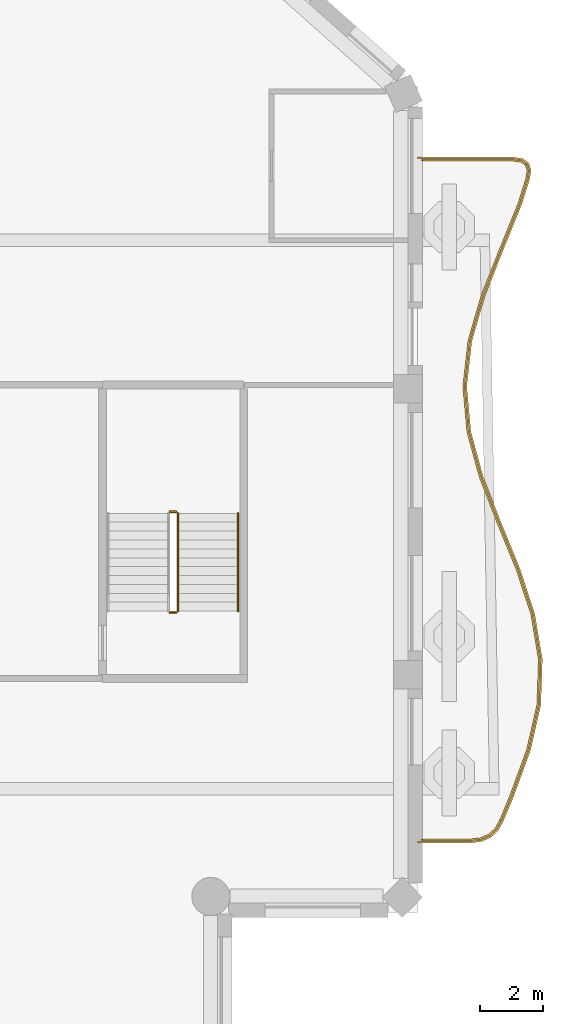
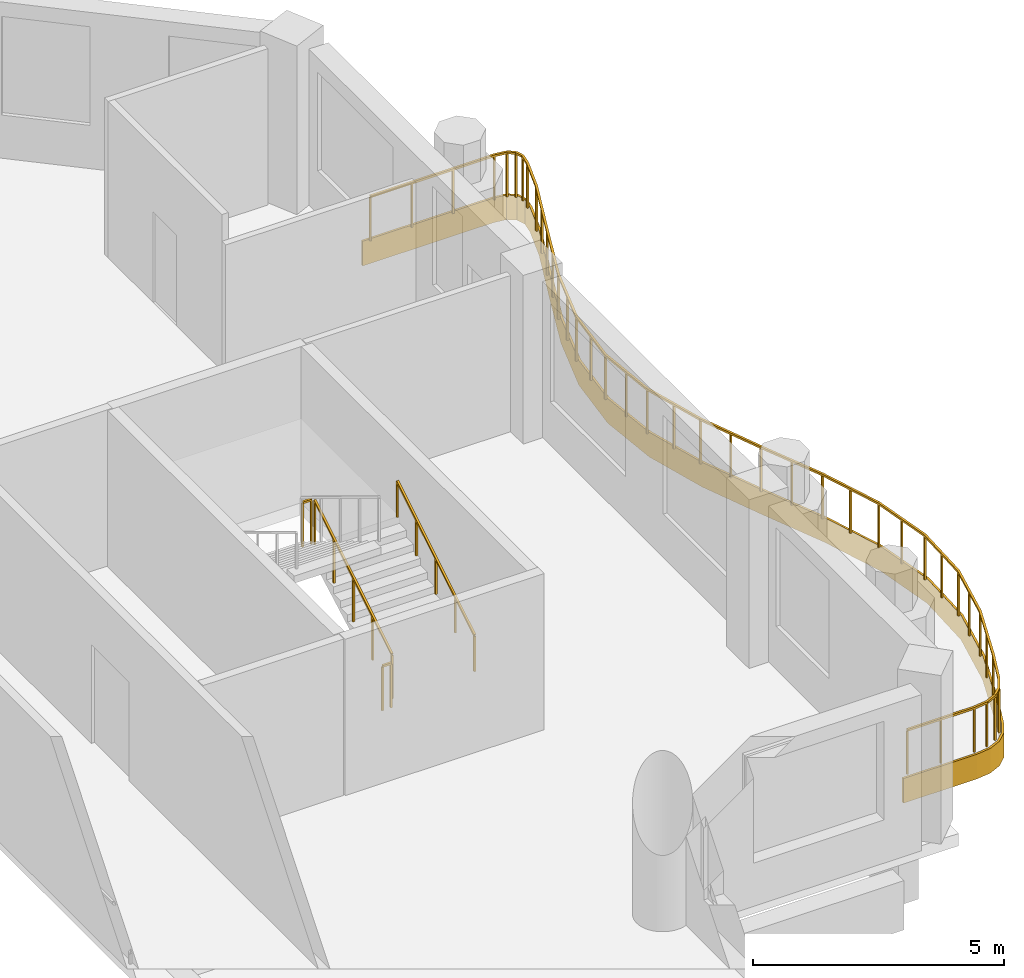
# One storey, part 13 of 15: 5 railings, 1 covering.
"""IFC4 building model written with IfcOpenShell, lengths in metres."""

from ifc_helpers import new_model, si_unit, direction, frame, origin, origin_2d, place, context, subcontext, project, spatial, polyline, rectangle, outline, extrude, material, layer, layer_set, type_object, element, save


model = new_model("IFC4")

# Units and contexts
model_context = context("Model", 3, precision=1e-05, world=origin(), true_north=direction((0.0, 1.0)))
body_context = subcontext(model_context, "Body", "Model", "MODEL_VIEW")
ifc_project = project(units=[si_unit("LENGTHUNIT", "METRE"), si_unit("AREAUNIT", "SQUARE_METRE"), si_unit("VOLUMEUNIT", "CUBIC_METRE"), si_unit("PLANEANGLEUNIT", "RADIAN"), si_unit("MASSUNIT", "GRAM", prefix="KILO")], contexts=[model_context])

# Site, building, storey
site_placement = place(None, origin())
site = spatial("IfcSite", under=ifc_project, at=site_placement, CompositionType="ELEMENT")
building_placement = place(site_placement, origin())
building = spatial("IfcBuilding", under=site, at=building_placement, Name="Cypress Arch Tower", CompositionType="ELEMENT")
storey_placement = place(building_placement, frame((0.0, 0.0, 313.10009765625)))
storey = spatial("IfcBuildingStorey", under=building, at=storey_placement, Name="L71", CompositionType="ELEMENT", Elevation=313.10009765625)

# Covering
ifc_material_1 = material(Name="White powder-coated aluminium fascia", Category="aluminium")
ifc_layer = layer(ifc_material_1, 0.050048828125)
ifc_layer_set = layer_set([ifc_layer], Name="Balcony fascia BF50")
covering_type = type_object("IfcCoveringType", Name="Balcony fascia BF50", PredefinedType="CLADDING", material=ifc_layer_set)
covering_placement = place(storey_placement, frame((0.0, 0.0, -0.60009765625)))
element("IfcCovering", 1, at=covering_placement, inside=storey, type_object=covering_type, Name="Balcony fascia L71-C17", PredefinedType="CLADDING", context=body_context, shape_type="SweptSolid", body=[
    extrude(outline(polyline([(27.6103515625, 11.800048828125), (27.908935546875, 11.757568359375), (28.105712890625, 11.6201171875), (28.177978515625, 11.390869140625), (28.12890625, 11.09326171875), (27.87939453125, 10.2998046875), (27.297607421875, 8.86474609375), (26.729248046875, 7.433837890625), (26.3134765625, 6.0068359375), (26.15087890625, 4.582763671875), (26.2802734375, 3.158935546875), (26.670654296875, 1.732421875), (27.22802734375, 0.302001953125), (27.81591796875, -1.132568359375), (28.2900390625, -2.5712890625), (28.533203125, -4.013427734375), (28.484375, -5.45654296875), (28.15625, -6.8974609375), (27.630126953125, -8.3349609375), (27.3017578125, -9.126953125), (27.135986328125, -9.41845703125), (26.909912109375, -9.630859375), (26.626953125, -9.75830078125), (26.29443359375, -9.800048828125), (24.60107421875, -9.800048828125), (24.60107421875, -9.75), (26.291259765625, -9.75), (26.61328125, -9.709716796875), (26.881591796875, -9.5888671875), (27.09619140625, -9.38720703125), (27.2568359375, -9.10498046875), (27.58349609375, -8.316650390625), (28.108154296875, -6.88330078125), (28.4345703125, -5.449951171875), (28.48291015625, -4.0166015625), (28.2412109375, -2.583251953125), (27.768798828125, -1.14990234375), (27.181396484375, 0.283447265625), (26.623291015625, 1.716552734375), (26.230712890625, 3.14990234375), (26.1005859375, 4.583251953125), (26.26416015625, 6.0166015625), (26.681884765625, 7.449951171875), (27.251220703125, 8.88330078125), (27.832275390625, 10.316650390625), (28.080078125, 11.10498046875), (28.126708984375, 11.38720703125), (28.063232421875, 11.5888671875), (27.889892578125, 11.709716796875), (27.60693359375, 11.75), (24.60107421875, 11.75), (24.60107421875, 11.800048828125), (27.6103515625, 11.800048828125)])), origin(), (0.0, 0.0, 1.0), 0.60009765625),
])

# Railings
ifc_material_2 = material(Name="Powder-coated steel posts and rods, 100 mm clear between rods", Category="steel")
railing_type_1 = type_object("IfcRailingType", Name="Balcony guard GR1100", PredefinedType="GUARDRAIL", material=ifc_material_2)
railing_1_placement = place(storey_placement, frame((24.75, 11.699951171875, 0.0)))
element("IfcRailing", 2, at=railing_1_placement, inside=storey, type_object=railing_type_1, Name="Balcony guard L71-C17", PredefinedType="GUARDRAIL", context=body_context, shape_type="SweptSolid", body=[
    extrude(rectangle(XDim=0.050048828125, YDim=0.050048828125, at=origin_2d()), frame((0.0, 0.0, 1.0751953125), z_axis=(1.0, 0.0, 0.0), x_axis=(0.0, 1.0, 0.0)), (0.0, 0.0, 1.0), 2.853271484375),
    extrude(rectangle(XDim=0.050048828125, YDim=0.050048828125, at=origin_2d()), frame((2.853271484375, 0.0, 1.0751953125), z_axis=(0.990039541813, -0.140789579328, 0.0), x_axis=(0.140789579328, 0.990039541813, 0.0)), (0.0, 0.0, 1.0), 0.2705078125),
    extrude(rectangle(XDim=0.050048828125, YDim=0.050048828125, at=origin_2d()), frame((3.12109375, -0.0380859375, 1.0751953125), z_axis=(0.820550362028, -0.571574232603, 0.0), x_axis=(0.571574232603, 0.820550362028, 0.0)), (0.0, 0.0, 1.0), 0.182373046875),
    extrude(rectangle(XDim=0.050048828125, YDim=0.050048828125, at=origin_2d()), frame((3.270751953125, -0.142333984375, 1.0751953125), z_axis=(0.299722215459, -0.954026516172, 0.0), x_axis=(0.954026516172, 0.299722215459, 0.0)), (0.0, 0.0, 1.0), 0.182373046875),
    extrude(rectangle(XDim=0.050048828125, YDim=0.050048828125, at=origin_2d()), frame((3.325439453125, -0.31640625, 1.0751953125), z_axis=(-0.162495579939, -0.986709271518, 0.0), x_axis=(0.986709271518, -0.162495579939, 0.0)), (0.0, 0.0, 1.0), 0.2705078125),
    extrude(rectangle(XDim=0.050048828125, YDim=0.050048828125, at=origin_2d()), frame((3.281494140625, -0.583251953125, 1.0751953125), z_axis=(-0.300035359528, -0.95392808064, 0.0), x_axis=(0.95392808064, -0.300035359528, 0.0)), (0.0, 0.0, 1.0), 0.821044921875),
    extrude(rectangle(XDim=0.050048828125, YDim=0.050048828125, at=origin_2d()), frame((3.03515625, -1.366455078125, 1.0751953125), z_axis=(-0.37566475524, -0.926755626727, 0.0), x_axis=(0.926755626727, -0.37566475524, 0.0)), (0.0, 0.0, 1.0), 1.544677734375),
    extrude(rectangle(XDim=0.050048828125, YDim=0.050048828125, at=origin_2d()), frame((2.454833984375, -2.798095703125, 1.0751953125), z_axis=(-0.369209624143, -0.929346142963, 0.0), x_axis=(0.929346142963, -0.369209624143, 0.0)), (0.0, 0.0, 1.0), 1.544677734375),
    extrude(rectangle(XDim=0.050048828125, YDim=0.050048828125, at=origin_2d()), frame((1.884521484375, -4.233642578125, 1.0751953125), z_axis=(-0.279706148899, -0.960085657776, 0.0), x_axis=(0.960085657776, -0.279706148899, 0.0)), (0.0, 0.0, 1.0), 1.49951171875),
    extrude(rectangle(XDim=0.050048828125, YDim=0.050048828125, at=origin_2d()), frame((1.465087890625, -5.67333984375, 1.0751953125), z_axis=(-0.113494428346, -0.993538632734, 0.0), x_axis=(0.993538632734, -0.113494428346, 0.0)), (0.0, 0.0, 1.0), 1.451904296875),
    extrude(rectangle(XDim=0.050048828125, YDim=0.050048828125, at=origin_2d()), frame((1.30029296875, -7.115966796875, 1.0751953125), z_axis=(0.090490165225, -0.995897349127, 0.0), x_axis=(0.995897349127, 0.090490165225, 0.0)), (0.0, 0.0, 1.0), 1.44873046875),
    extrude(rectangle(XDim=0.050048828125, YDim=0.050048828125, at=origin_2d()), frame((1.431396484375, -8.558837890625, 1.0751953125), z_axis=(0.26405805433, -0.96450678792, 0.0), x_axis=(0.96450678792, 0.26405805433, 0.0)), (0.0, 0.0, 1.0), 1.4931640625),
    extrude(rectangle(XDim=0.050048828125, YDim=0.050048828125, at=origin_2d()), frame((1.82568359375, -9.9990234375, 1.0751953125), z_axis=(0.362935480533, -0.931814271714, 0.0), x_axis=(0.931814271714, 0.362935480533, 0.0)), (0.0, 0.0, 1.0), 1.541015625),
    extrude(rectangle(XDim=0.050048828125, YDim=0.050048828125, at=origin_2d()), frame((2.385009765625, -11.43505859375, 1.0751953125), z_axis=(0.379210133201, -0.925310582927, 0.0), x_axis=(0.925310582927, 0.379210133201, 0.0)), (0.0, 0.0, 1.0), 1.547607421875),
    extrude(rectangle(XDim=0.050048828125, YDim=0.050048828125, at=origin_2d()), frame((2.971923828125, -12.8671875, 1.0751953125), z_axis=(0.313011414337, -0.94974936404, 0.0), x_axis=(0.94974936404, 0.313011414337, 0.0)), (0.0, 0.0, 1.0), 1.50390625),
    extrude(rectangle(XDim=0.050048828125, YDim=0.050048828125, at=origin_2d()), frame((3.442626953125, -14.29541015625, 1.0751953125), z_axis=(0.166289585267, -0.986076961414, 0.0), x_axis=(0.986076961414, 0.166289585267, 0.0)), (0.0, 0.0, 1.0), 1.444580078125),
    extrude(rectangle(XDim=0.050048828125, YDim=0.050048828125, at=origin_2d()), frame((3.682861328125, -15.719970703125, 1.0751953125), z_axis=(-0.033765677595, -0.999429776931, 0.0), x_axis=(0.999429776931, -0.033765677595, 0.0)), (0.0, 0.0, 1.0), 1.42431640625),
    extrude(rectangle(XDim=0.050048828125, YDim=0.050048828125, at=origin_2d()), frame((3.634765625, -17.1435546875, 1.0751953125), z_axis=(-0.222090210993, -0.975026121794, 0.0), x_axis=(0.975026121794, -0.222090210993, 0.0)), (0.0, 0.0, 1.0), 1.462158203125),
    extrude(rectangle(XDim=0.050048828125, YDim=0.050048828125, at=origin_2d()), frame((3.31005859375, -18.569091796875, 1.0751953125), z_axis=(-0.3437126325, -0.939074877877, 0.0), x_axis=(0.939074877877, -0.3437126325, 0.0)), (0.0, 0.0, 1.0), 1.522216796875),
    extrude(rectangle(XDim=0.050048828125, YDim=0.050048828125, at=origin_2d()), frame((2.786865234375, -19.99853515625, 1.0751953125), z_axis=(-0.382961168956, -0.923764441333, 0.0), x_axis=(0.923764441333, -0.382961168956, 0.0)), (0.0, 0.0, 1.0), 0.84912109375),
    extrude(rectangle(XDim=0.050048828125, YDim=0.050048828125, at=origin_2d()), frame((2.461669921875, -20.782958984375, 1.0751953125), z_axis=(-0.49446349002, -0.869198399123, 0.0), x_axis=(0.869198399123, -0.49446349002, 0.0)), (0.0, 0.0, 1.0), 0.31396484375),
    extrude(rectangle(XDim=0.050048828125, YDim=0.050048828125, at=origin_2d()), frame((2.306396484375, -21.055908203125, 1.0751953125), z_axis=(-0.728688930411, -0.684844831109, 0.0), x_axis=(0.684844831109, -0.728688930411, 0.0)), (0.0, 0.0, 1.0), 0.2783203125),
    extrude(rectangle(XDim=0.050048828125, YDim=0.050048828125, at=origin_2d()), frame((2.103515625, -21.24658203125, 1.0751953125), z_axis=(-0.911921505175, -0.410364677329, 0.0), x_axis=(0.410364677329, -0.911921505175, 0.0)), (0.0, 0.0, 1.0), 0.2783203125),
    extrude(rectangle(XDim=0.050048828125, YDim=0.050048828125, at=origin_2d()), frame((1.849609375, -21.36083984375, 1.0751953125), z_axis=(-0.992229949963, -0.124417548585, 0.0), x_axis=(0.124417548585, -0.992229949963, 0.0)), (0.0, 0.0, 1.0), 0.31396484375),
    extrude(rectangle(XDim=0.050048828125, YDim=0.050048828125, at=origin_2d()), frame((1.5380859375, -21.39990234375, 1.0751953125), z_axis=(-1.0, 0.0, 0.0), x_axis=(0.0, -1.0, 0.0)), (0.0, 0.0, 1.0), 1.5380859375),
    extrude(rectangle(XDim=0.0400390625, YDim=0.0400390625, at=origin_2d()), origin(), (0.0, 0.0, 1.0), 1.050048828125),
    extrude(rectangle(XDim=0.0400390625, YDim=0.0400390625, at=origin_2d()), frame((0.951171875, 0.0, 0.0)), (0.0, 0.0, 1.0), 1.050048828125),
    extrude(rectangle(XDim=0.0400390625, YDim=0.0400390625, at=origin_2d()), frame((1.902099609375, 0.0, 0.0)), (0.0, 0.0, 1.0), 1.050048828125),
    extrude(rectangle(XDim=0.0400390625, YDim=0.0400390625, at=origin_2d()), frame((2.853271484375, 0.0, 0.0)), (0.0, 0.0, 1.0), 1.050048828125),
    extrude(rectangle(XDim=0.0400390625, YDim=0.0400390625, at=origin_2d()), frame((3.12109375, -0.0380859375, 0.0)), (0.0, 0.0, 1.0), 1.050048828125),
    extrude(rectangle(XDim=0.0400390625, YDim=0.0400390625, at=origin_2d()), frame((3.270751953125, -0.142333984375, 0.0)), (0.0, 0.0, 1.0), 1.050048828125),
    extrude(rectangle(XDim=0.0400390625, YDim=0.0400390625, at=origin_2d()), frame((3.325439453125, -0.31640625, 0.0)), (0.0, 0.0, 1.0), 1.050048828125),
    extrude(rectangle(XDim=0.0400390625, YDim=0.0400390625, at=origin_2d()), frame((3.281494140625, -0.583251953125, 0.0)), (0.0, 0.0, 1.0), 1.050048828125),
    extrude(rectangle(XDim=0.0400390625, YDim=0.0400390625, at=origin_2d()), frame((3.03515625, -1.366455078125, 0.0)), (0.0, 0.0, 1.0), 1.050048828125),
    extrude(rectangle(XDim=0.0400390625, YDim=0.0400390625, at=origin_2d()), frame((2.7451171875, -2.082275390625, 0.0)), (0.0, 0.0, 1.0), 1.050048828125),
    extrude(rectangle(XDim=0.0400390625, YDim=0.0400390625, at=origin_2d()), frame((2.454833984375, -2.798095703125, 0.0)), (0.0, 0.0, 1.0), 1.050048828125),
    extrude(rectangle(XDim=0.0400390625, YDim=0.0400390625, at=origin_2d()), frame((2.169677734375, -3.515869140625, 0.0)), (0.0, 0.0, 1.0), 1.050048828125),
    extrude(rectangle(XDim=0.0400390625, YDim=0.0400390625, at=origin_2d()), frame((1.884521484375, -4.233642578125, 0.0)), (0.0, 0.0, 1.0), 1.050048828125),
    extrude(rectangle(XDim=0.0400390625, YDim=0.0400390625, at=origin_2d()), frame((1.6748046875, -4.95361328125, 0.0)), (0.0, 0.0, 1.0), 1.050048828125),
    extrude(rectangle(XDim=0.0400390625, YDim=0.0400390625, at=origin_2d()), frame((1.465087890625, -5.67333984375, 0.0)), (0.0, 0.0, 1.0), 1.050048828125),
    extrude(rectangle(XDim=0.0400390625, YDim=0.0400390625, at=origin_2d()), frame((1.3828125, -6.39453125, 0.0)), (0.0, 0.0, 1.0), 1.050048828125),
    extrude(rectangle(XDim=0.0400390625, YDim=0.0400390625, at=origin_2d()), frame((1.30029296875, -7.115966796875, 0.0)), (0.0, 0.0, 1.0), 1.050048828125),
    extrude(rectangle(XDim=0.0400390625, YDim=0.0400390625, at=origin_2d()), frame((1.36572265625, -7.83740234375, 0.0)), (0.0, 0.0, 1.0), 1.050048828125),
    extrude(rectangle(XDim=0.0400390625, YDim=0.0400390625, at=origin_2d()), frame((1.431396484375, -8.558837890625, 0.0)), (0.0, 0.0, 1.0), 1.050048828125),
    extrude(rectangle(XDim=0.0400390625, YDim=0.0400390625, at=origin_2d()), frame((1.62841796875, -9.27880859375, 0.0)), (0.0, 0.0, 1.0), 1.050048828125),
    extrude(rectangle(XDim=0.0400390625, YDim=0.0400390625, at=origin_2d()), frame((1.82568359375, -9.9990234375, 0.0)), (0.0, 0.0, 1.0), 1.050048828125),
    extrude(rectangle(XDim=0.0400390625, YDim=0.0400390625, at=origin_2d()), frame((2.10546875, -10.717041015625, 0.0)), (0.0, 0.0, 1.0), 1.050048828125),
    extrude(rectangle(XDim=0.0400390625, YDim=0.0400390625, at=origin_2d()), frame((2.385009765625, -11.43505859375, 0.0)), (0.0, 0.0, 1.0), 1.050048828125),
    extrude(rectangle(XDim=0.0400390625, YDim=0.0400390625, at=origin_2d()), frame((2.678466796875, -12.151123046875, 0.0)), (0.0, 0.0, 1.0), 1.050048828125),
    extrude(rectangle(XDim=0.0400390625, YDim=0.0400390625, at=origin_2d()), frame((2.971923828125, -12.8671875, 0.0)), (0.0, 0.0, 1.0), 1.050048828125),
    extrude(rectangle(XDim=0.0400390625, YDim=0.0400390625, at=origin_2d()), frame((3.207275390625, -13.581298828125, 0.0)), (0.0, 0.0, 1.0), 1.050048828125),
    extrude(rectangle(XDim=0.0400390625, YDim=0.0400390625, at=origin_2d()), frame((3.442626953125, -14.29541015625, 0.0)), (0.0, 0.0, 1.0), 1.050048828125),
    extrude(rectangle(XDim=0.0400390625, YDim=0.0400390625, at=origin_2d()), frame((3.562744140625, -15.0078125, 0.0)), (0.0, 0.0, 1.0), 1.050048828125),
    extrude(rectangle(XDim=0.0400390625, YDim=0.0400390625, at=origin_2d()), frame((3.682861328125, -15.719970703125, 0.0)), (0.0, 0.0, 1.0), 1.050048828125),
    extrude(rectangle(XDim=0.0400390625, YDim=0.0400390625, at=origin_2d()), frame((3.65869140625, -16.431640625, 0.0)), (0.0, 0.0, 1.0), 1.050048828125),
    extrude(rectangle(XDim=0.0400390625, YDim=0.0400390625, at=origin_2d()), frame((3.634765625, -17.1435546875, 0.0)), (0.0, 0.0, 1.0), 1.050048828125),
    extrude(rectangle(XDim=0.0400390625, YDim=0.0400390625, at=origin_2d()), frame((3.472412109375, -17.8564453125, 0.0)), (0.0, 0.0, 1.0), 1.050048828125),
    extrude(rectangle(XDim=0.0400390625, YDim=0.0400390625, at=origin_2d()), frame((3.31005859375, -18.569091796875, 0.0)), (0.0, 0.0, 1.0), 1.050048828125),
    extrude(rectangle(XDim=0.0400390625, YDim=0.0400390625, at=origin_2d()), frame((3.04833984375, -19.28369140625, 0.0)), (0.0, 0.0, 1.0), 1.050048828125),
    extrude(rectangle(XDim=0.0400390625, YDim=0.0400390625, at=origin_2d()), frame((2.786865234375, -19.99853515625, 0.0)), (0.0, 0.0, 1.0), 1.050048828125),
    extrude(rectangle(XDim=0.0400390625, YDim=0.0400390625, at=origin_2d()), frame((2.461669921875, -20.782958984375, 0.0)), (0.0, 0.0, 1.0), 1.050048828125),
    extrude(rectangle(XDim=0.0400390625, YDim=0.0400390625, at=origin_2d()), frame((2.306396484375, -21.055908203125, 0.0)), (0.0, 0.0, 1.0), 1.050048828125),
    extrude(rectangle(XDim=0.0400390625, YDim=0.0400390625, at=origin_2d()), frame((2.103515625, -21.24658203125, 0.0)), (0.0, 0.0, 1.0), 1.050048828125),
    extrude(rectangle(XDim=0.0400390625, YDim=0.0400390625, at=origin_2d()), frame((1.849609375, -21.36083984375, 0.0)), (0.0, 0.0, 1.0), 1.050048828125),
    extrude(rectangle(XDim=0.0400390625, YDim=0.0400390625, at=origin_2d()), frame((1.5380859375, -21.39990234375, 0.0)), (0.0, 0.0, 1.0), 1.050048828125),
    extrude(rectangle(XDim=0.0400390625, YDim=0.0400390625, at=origin_2d()), frame((0.76904296875, -21.39990234375, 0.0)), (0.0, 0.0, 1.0), 1.050048828125),
    extrude(rectangle(XDim=0.0400390625, YDim=0.0400390625, at=origin_2d()), frame((0.0, -21.39990234375, 0.0)), (0.0, 0.0, 1.0), 1.050048828125),
])
ifc_material_3 = material(Name="Black powder-coated steel square bar 48 mm", Category="steel")
railing_type_2 = type_object("IfcRailingType", Name="Stair handrail HR1", PredefinedType="HANDRAIL", material=ifc_material_3)
railing_2_placement = place(storey_placement, frame((18.949951171875, -2.5, 0.170654296875)))
element("IfcRailing", 3, at=railing_2_placement, inside=storey, type_object=railing_type_2, Name="L71 C stair handrail 1", PredefinedType="HANDRAIL", context=body_context, shape_type="SweptSolid", body=[
    extrude(rectangle(XDim=0.048095703125, YDim=0.048095703125, at=origin_2d()), frame((0.0, 0.0, 0.8759765625), z_axis=(0.0, 0.853666305674, 0.52082035152), x_axis=(-1.0, 0.0, 0.0)), (0.0, 0.0, 1.0), 3.608154296875),
    extrude(rectangle(XDim=0.0419921875, YDim=0.0419921875, at=origin_2d()), origin(), (0.0, 0.0, 1.0), 0.851806640625),
    extrude(rectangle(XDim=0.0419921875, YDim=0.0419921875, at=origin_2d()), frame((0.0, 0.77001953125, 0.4697265625)), (0.0, 0.0, 1.0), 0.851806640625),
    extrude(rectangle(XDim=0.0419921875, YDim=0.0419921875, at=origin_2d()), frame((0.0, 1.5400390625, 0.939453125)), (0.0, 0.0, 1.0), 0.851806640625),
    extrude(rectangle(XDim=0.0419921875, YDim=0.0419921875, at=origin_2d()), frame((0.0, 2.31005859375, 1.409423828125)), (0.0, 0.0, 1.0), 0.851806640625),
    extrude(rectangle(XDim=0.0419921875, YDim=0.0419921875, at=origin_2d()), frame((0.0, 3.080078125, 1.879150390625)), (0.0, 0.0, 1.0), 0.851806640625),
])
ifc_material_4 = material(Name="Black powder-coated steel balusters", Category="steel")
railing_type_3 = type_object("IfcRailingType", Name="Stair well guard G1", PredefinedType="GUARDRAIL", material=ifc_material_4)
railing_3_placement = place(storey_placement, frame((17.050048828125, -2.5, 0.170654296875)))
element("IfcRailing", 4, at=railing_3_placement, inside=storey, type_object=railing_type_3, Name="L71 C stair guard 1", PredefinedType="GUARDRAIL", context=body_context, shape_type="SweptSolid", body=[
    extrude(rectangle(XDim=0.048095703125, YDim=0.048095703125, at=origin_2d()), frame((0.0, 0.0, 1.076171875), z_axis=(0.0, 0.853666305674, 0.52082035152), x_axis=(-1.0, 0.0, 0.0)), (0.0, 0.0, 1.0), 3.608154296875),
    extrude(rectangle(XDim=0.0419921875, YDim=0.0419921875, at=origin_2d()), origin(), (0.0, 0.0, 1.0), 1.052001953125),
    extrude(rectangle(XDim=0.0419921875, YDim=0.0419921875, at=origin_2d()), frame((0.0, 0.77001953125, 0.4697265625)), (0.0, 0.0, 1.0), 1.052001953125),
    extrude(rectangle(XDim=0.0419921875, YDim=0.0419921875, at=origin_2d()), frame((0.0, 1.5400390625, 0.939453125)), (0.0, 0.0, 1.0), 1.052001953125),
    extrude(rectangle(XDim=0.0419921875, YDim=0.0419921875, at=origin_2d()), frame((0.0, 2.31005859375, 1.409423828125)), (0.0, 0.0, 1.0), 1.052001953125),
    extrude(rectangle(XDim=0.0419921875, YDim=0.0419921875, at=origin_2d()), frame((0.0, 3.080078125, 1.879150390625)), (0.0, 0.0, 1.0), 1.052001953125),
])
for number, where, name in (
    (5, (17.0, 0.6298828125, 2.0498046875), "L71 C stair guard 2"),
    (6, (17.0, -2.550048828125, 0.0), "L71 C stair guard 4"),
):
    element("IfcRailing", number, at=place(storey_placement, frame(where)), inside=storey, type_object=railing_type_3, Name=name, PredefinedType="GUARDRAIL", context=body_context, shape_type="SweptSolid", body=[
        extrude(rectangle(XDim=0.048095703125, YDim=0.048095703125, at=origin_2d()), frame((0.0, 0.0, 1.076171875), z_axis=(-1.0, 0.0, 0.0), x_axis=(0.0, -1.0, 0.0)), (0.0, 0.0, 1.0), 0.199951171875),
        extrude(rectangle(XDim=0.0419921875, YDim=0.0419921875, at=origin_2d()), origin(), (0.0, 0.0, 1.0), 1.052001953125),
        extrude(rectangle(XDim=0.0419921875, YDim=0.0419921875, at=origin_2d()), frame((-0.199951171875, 0.0, 0.0)), (0.0, 0.0, 1.0), 1.052001953125),
    ])

save(model, "model.ifc")
